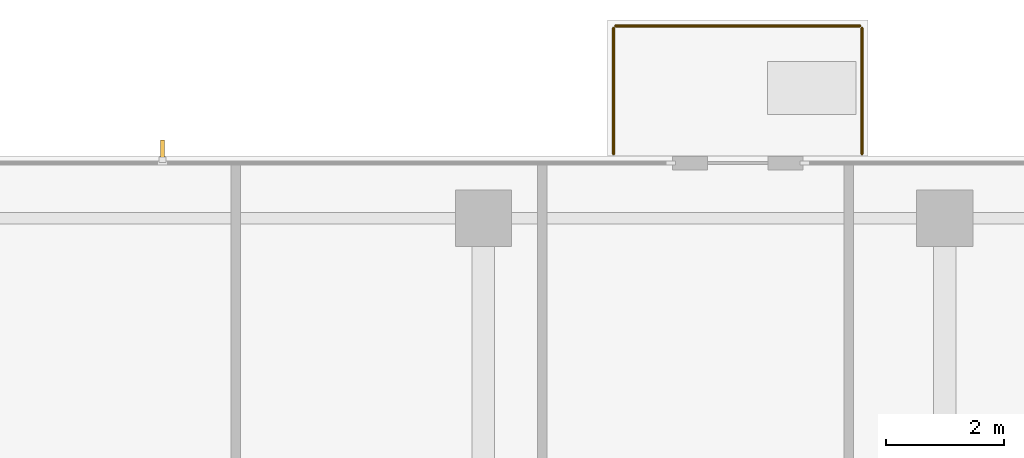
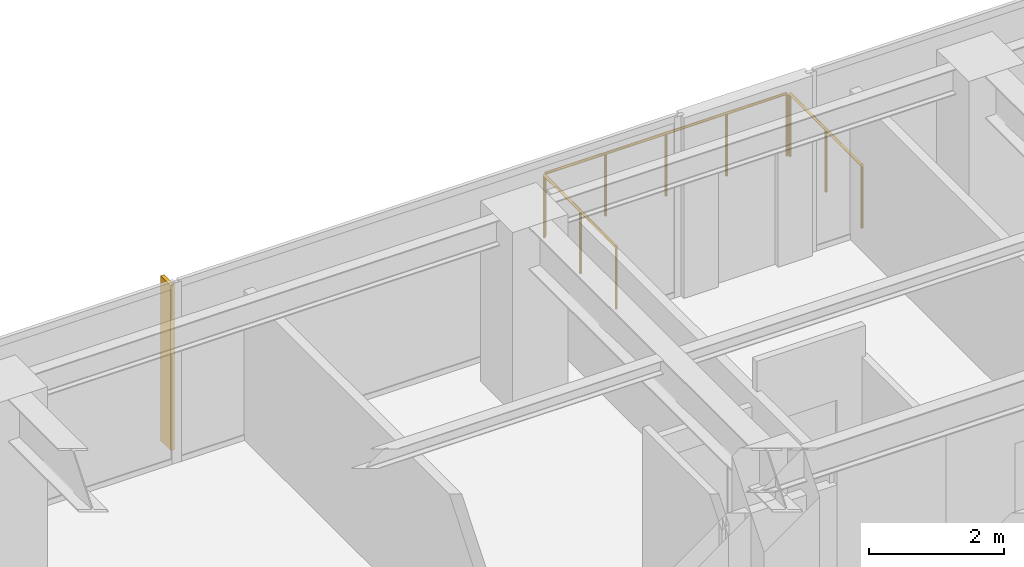
# One storey, part 15 of 15: 3 railings, 1 shading device.
"""IFC4 building model written with IfcOpenShell, lengths in metres."""

from ifc_helpers import new_model, si_unit, direction, frame, origin, origin_2d, place, context, subcontext, project, spatial, polyline, circle, outline, extrude, material, layer, layer_set, type_object, element, save


model = new_model("IFC4")

# Units and contexts
model_context = context("Model", 3, precision=1e-05, world=origin(), true_north=direction((0.0, 1.0)))
body_context = subcontext(model_context, "Body", "Model", "MODEL_VIEW")
ifc_project = project(units=[si_unit("LENGTHUNIT", "METRE"), si_unit("AREAUNIT", "SQUARE_METRE"), si_unit("VOLUMEUNIT", "CUBIC_METRE"), si_unit("PLANEANGLEUNIT", "RADIAN"), si_unit("MASSUNIT", "GRAM", prefix="KILO")], contexts=[model_context])

# Site, building, storey
site_placement = place(None, origin())
site = spatial("IfcSite", under=ifc_project, at=site_placement, CompositionType="ELEMENT")
building_placement = place(site_placement, origin())
building = spatial("IfcBuilding", under=site, at=building_placement, Name="Qalmaran Belvedere Hotel", CompositionType="ELEMENT")
storey_placement = place(building_placement, frame((0.0, 0.0, 203.89990234375)))
storey = spatial("IfcBuildingStorey", under=building, at=storey_placement, Name="L51", CompositionType="ELEMENT", Elevation=203.89990234375)

# Shading device
ifc_material = material(Name="Anodised Bronze Aluminium", Category="aluminium")
ifc_layer = layer(ifc_material, 0.06494140625, Name="Anodised Bronze Aluminium")
ifc_layer_set = layer_set([ifc_layer], Name="Anodised Bronze Aluminium")
shading_device_type = type_object("IfcShadingDeviceType", Name="FIN-BRNZ-300", PredefinedType="USERDEFINED", material=ifc_layer_set)
shading_device_placement = place(storey_placement, frame((0.0, 0.0, 0.16015625)))
element("IfcShadingDevice", 1, at=shading_device_placement, inside=storey, type_object=shading_device_type, Name="L51 Bronze Fin 1", ObjectType="FIN", PredefinedType="USERDEFINED", context=body_context, shape_type="SweptSolid", body=[
    extrude(outline(polyline([(23.8076171875, 41.467529296875), (23.8076171875, 41.767578125), (23.742431640625, 41.767578125), (23.742431640625, 41.467529296875), (23.8076171875, 41.467529296875)])), origin(), (0.0, 0.0, 1.0), 2.97998046875),
])

# Railings
railing_type = type_object("IfcRailingType", Name="GRD-BAL-1150", PredefinedType="BALUSTRADE", material=ifc_material)
railing_1_placement = place(storey_placement, frame((31.39990234375, 41.534912109375, 0.0)))
element("IfcRailing", 2, at=railing_1_placement, inside=storey, type_object=railing_type, Name="L51 Guardrail BAL-L51-N-1", PredefinedType="BALUSTRADE", context=body_context, shape_type="SweptSolid", body=[
    extrude(circle(Radius=0.02392578125, at=origin_2d()), frame((0.0, 0.0, 1.1259765625), z_axis=(0.0, 1.0, 0.0), x_axis=(-1.0, 0.0, 0.0)), (0.0, 0.0, 1.0), 2.130126953125),
    extrude(circle(Radius=0.02099609375, at=origin_2d()), origin(), (0.0, 0.0, 1.0), 1.101806640625),
    extrude(circle(Radius=0.02099609375, at=origin_2d()), frame((0.0, 1.06494140625, 0.0)), (0.0, 0.0, 1.0), 1.101806640625),
    extrude(circle(Radius=0.02099609375, at=origin_2d()), frame((0.0, 2.130126953125, 0.0)), (0.0, 0.0, 1.0), 1.101806640625),
])
railing_2_placement = place(storey_placement, frame((31.43505859375, 43.699951171875, 0.0)))
element("IfcRailing", 3, at=railing_2_placement, inside=storey, type_object=railing_type, Name="L51 Guardrail BAL-L51-N-2", PredefinedType="BALUSTRADE", context=body_context, shape_type="SweptSolid", body=[
    extrude(circle(Radius=0.02392578125, at=origin_2d()), frame((0.0, 0.0, 1.1259765625), z_axis=(1.0, 0.0, 0.0), x_axis=(0.0, 1.0, 0.0)), (0.0, 0.0, 1.0), 4.1298828125),
    extrude(circle(Radius=0.02099609375, at=origin_2d()), origin(), (0.0, 0.0, 1.0), 1.101806640625),
    extrude(circle(Radius=0.02099609375, at=origin_2d()), frame((1.032470703125, 0.0, 0.0)), (0.0, 0.0, 1.0), 1.101806640625),
    extrude(circle(Radius=0.02099609375, at=origin_2d()), frame((2.06494140625, 0.0, 0.0)), (0.0, 0.0, 1.0), 1.101806640625),
    extrude(circle(Radius=0.02099609375, at=origin_2d()), frame((3.097412109375, 0.0, 0.0)), (0.0, 0.0, 1.0), 1.101806640625),
    extrude(circle(Radius=0.02099609375, at=origin_2d()), frame((4.1298828125, 0.0, 0.0)), (0.0, 0.0, 1.0), 1.101806640625),
])
railing_3_placement = place(storey_placement, frame((35.60009765625, 43.6650390625, 0.0)))
element("IfcRailing", 4, at=railing_3_placement, inside=storey, type_object=railing_type, Name="L51 Guardrail BAL-L51-N-3", PredefinedType="BALUSTRADE", context=body_context, shape_type="SweptSolid", body=[
    extrude(circle(Radius=0.02392578125, at=origin_2d()), frame((0.0, 0.0, 1.1259765625), z_axis=(0.0, -1.0, 0.0), x_axis=(1.0, 0.0, 0.0)), (0.0, 0.0, 1.0), 2.130126953125),
    extrude(circle(Radius=0.02099609375, at=origin_2d()), origin(), (0.0, 0.0, 1.0), 1.101806640625),
    extrude(circle(Radius=0.02099609375, at=origin_2d()), frame((0.0, -1.06494140625, 0.0)), (0.0, 0.0, 1.0), 1.101806640625),
    extrude(circle(Radius=0.02099609375, at=origin_2d()), frame((0.0, -2.130126953125, 0.0)), (0.0, 0.0, 1.0), 1.101806640625),
])

save(model, "model.ifc")
